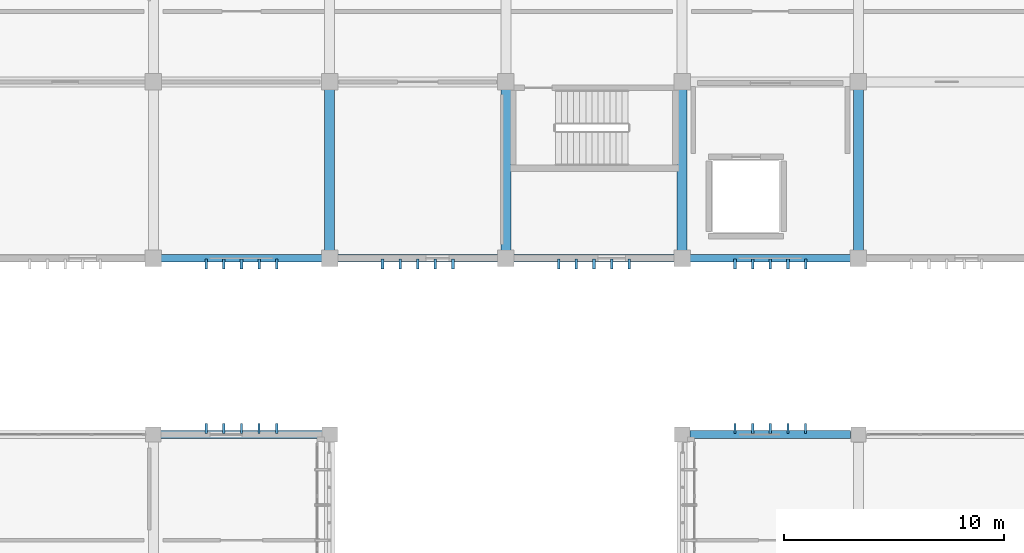
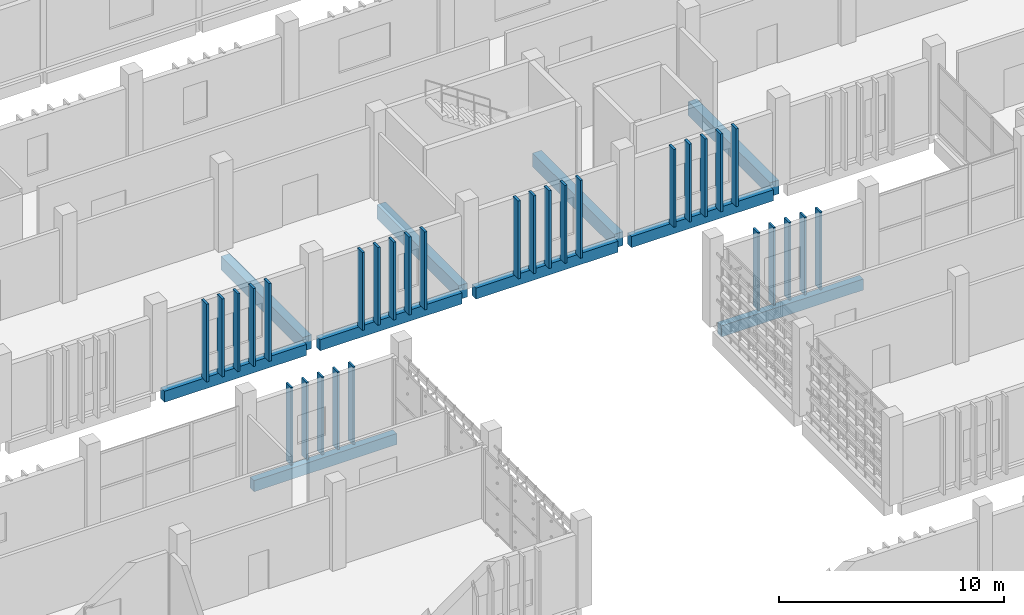
# One storey, part 43 of 106: 30 members, 10 beams.
"""IFC4 building model written with IfcOpenShell, lengths in metres."""

from ifc_helpers import new_model, si_unit, direction, frame, origin, origin_2d, place, context, subcontext, project, spatial, rectangle, extrude, material, material_profile, profile_set, type_object, element, save


model = new_model("IFC4")

# Units and contexts
model_context = context("Model", 3, precision=1e-05, world=origin(), true_north=direction((0.0, 1.0)))
body_context = subcontext(model_context, "Body", "Model", "MODEL_VIEW")
ifc_project = project(units=[si_unit("LENGTHUNIT", "METRE"), si_unit("AREAUNIT", "SQUARE_METRE"), si_unit("VOLUMEUNIT", "CUBIC_METRE"), si_unit("PLANEANGLEUNIT", "RADIAN"), si_unit("MASSUNIT", "GRAM", prefix="KILO")], contexts=[model_context])

# Site, building, storey
site_placement = place(None, origin())
site = spatial("IfcSite", under=ifc_project, at=site_placement, CompositionType="ELEMENT")
building_placement = place(site_placement, origin())
building = spatial("IfcBuilding", under=site, at=building_placement, Name="Jelvoka-Kovrelna Polytechnic", CompositionType="ELEMENT")
storey_placement = place(building_placement, frame((0.0, 0.0, 4.800048828125)))
storey = spatial("IfcBuildingStorey", under=building, at=storey_placement, Name="L02", CompositionType="ELEMENT", Elevation=4.800048828125)

# Beams
ifc_material_1 = material(Name="Concrete C40/50", Category="concrete")
ifc_material_profile_1 = material_profile(ifc_material_1, rectangle(XDim=0.449951171875, YDim=0.75, at=origin_2d()), Name="RC 450x750")
ifc_profile_set_1 = profile_set([ifc_material_profile_1], Name="Concrete C40/50")
beam_type_1 = type_object("IfcBeamType", Name="Beam_RC_450x750", PredefinedType="BEAM", material=ifc_profile_set_1)
for number, where, z_axis, x_axis, name in (
    (1, (112.0, 56.35498046875, -0.64013671875), (0.0, 1.0, 0.0), (-1.0, 0.0, 0.0), "L02 beam 0789"),
    (2, (120.0, 56.35498046875, -0.64013671875), (0.0, 1.0, 0.0), (-1.0, 0.0, 0.0), "L02 beam 0819"),
    (3, (128.0, 56.35498046875, -0.64013671875), (0.0, 1.0, 0.0), (-1.0, 0.0, 0.0), "L02 beam 0821"),
    (4, (136.0, 56.35498046875, -0.64013671875), (0.0, 1.0, 0.0), (-1.0, 0.0, 0.0), "L02 beam 0823"),
):
    element("IfcBeam", number, at=place(storey_placement, frame(where, z_axis=z_axis, x_axis=x_axis)), inside=storey, type_object=beam_type_1, Name=name, PredefinedType="BEAM", context=body_context, shape_type="SweptSolid", body=[
        extrude(rectangle(XDim=0.449951171875, YDim=0.75, at=origin_2d()), origin(), (0.0, 0.0, 1.0), 7.2900390625),
    ])

# Members
ifc_material_2 = material(Name="Precast concrete C40/50", Category="concrete")
ifc_material_profile_2 = material_profile(ifc_material_2, rectangle(XDim=0.10009765625, YDim=0.449951171875, at=origin_2d()), Name="PC 100x450")
ifc_profile_set_2 = profile_set([ifc_material_profile_2], Name="Precast concrete C40/50")
member_type_1 = type_object("IfcMemberType", Name="Louvre_Fin_100x450", PredefinedType="USERDEFINED", material=ifc_profile_set_2)
for number, where, z_axis, x_axis, name in (
    (5, (106.39990234375, 48.264892578125, -0.27001953125), (0.0, 0.0, 1.0), (1.0, 0.0, 0.0), "L02 B2W north vertical solar louvre fin 0646"),
    (6, (107.199951171875, 48.264892578125, -0.27001953125), (0.0, 0.0, 1.0), (1.0, 0.0, 0.0), "L02 B2W north vertical solar louvre fin 0647"),
    (7, (108.0, 48.264892578125, -0.27001953125), (0.0, 0.0, 1.0), (1.0, 0.0, 0.0), "L02 B2W north vertical solar louvre fin 0648"),
    (8, (108.800048828125, 48.264892578125, -0.27001953125), (0.0, 0.0, 1.0), (1.0, 0.0, 0.0), "L02 B2W north vertical solar louvre fin 0649"),
    (9, (109.60009765625, 48.264892578125, -0.27001953125), (0.0, 0.0, 1.0), (1.0, 0.0, 0.0), "L02 B2W north vertical solar louvre fin 0650"),
    (10, (130.39990234375, 48.264892578125, -0.27001953125), (0.0, 0.0, 1.0), (1.0, 0.0, 0.0), "L02 B2E north vertical solar louvre fin 0906"),
    (11, (131.199951171875, 48.264892578125, -0.27001953125), (0.0, 0.0, 1.0), (1.0, 0.0, 0.0), "L02 B2E north vertical solar louvre fin 0907"),
    (12, (132.0, 48.264892578125, -0.27001953125), (0.0, 0.0, 1.0), (1.0, 0.0, 0.0), "L02 B2E north vertical solar louvre fin 0908"),
    (13, (132.800048828125, 48.264892578125, -0.27001953125), (0.0, 0.0, 1.0), (1.0, 0.0, 0.0), "L02 B2E north vertical solar louvre fin 0909"),
    (14, (133.60009765625, 48.264892578125, -0.27001953125), (0.0, 0.0, 1.0), (1.0, 0.0, 0.0), "L02 B2E north vertical solar louvre fin 0910"),
):
    element("IfcMember", number, at=place(storey_placement, frame(where, z_axis=z_axis, x_axis=x_axis)), inside=storey, type_object=member_type_1, Name=name, ObjectType="SUNSHADE", PredefinedType="USERDEFINED", context=body_context, shape_type="SweptSolid", body=[
        extrude(rectangle(XDim=0.10009765625, YDim=0.449951171875, at=origin_2d()), origin(), (0.0, 0.0, 1.0), 4.22998046875),
    ])
ifc_material_3 = material(Name="Precast concrete C40/50", Category="concrete")
ifc_material_profile_3 = material_profile(ifc_material_3, rectangle(XDim=0.1201171875, YDim=0.449951171875, at=origin_2d()), Name="PC 120x450")
ifc_profile_set_3 = profile_set([ifc_material_profile_3], Name="Precast concrete C40/50")
member_type_2 = type_object("IfcMemberType", Name="Louvre_Fin_120x450", PredefinedType="USERDEFINED", material=ifc_profile_set_3)
for number, where, z_axis, x_axis, name in (
    (15, (106.39990234375, 55.735107421875, -0.27001953125), (0.0, 0.0, 1.0), (1.0, 0.0, 0.0), "L02 B3 south vertical solar louvre fin 1356"),
    (16, (107.199951171875, 55.735107421875, -0.27001953125), (0.0, 0.0, 1.0), (1.0, 0.0, 0.0), "L02 B3 south vertical solar louvre fin 1357"),
    (17, (108.0, 55.735107421875, -0.27001953125), (0.0, 0.0, 1.0), (1.0, 0.0, 0.0), "L02 B3 south vertical solar louvre fin 1358"),
    (18, (108.800048828125, 55.735107421875, -0.27001953125), (0.0, 0.0, 1.0), (1.0, 0.0, 0.0), "L02 B3 south vertical solar louvre fin 1359"),
    (19, (109.60009765625, 55.735107421875, -0.27001953125), (0.0, 0.0, 1.0), (1.0, 0.0, 0.0), "L02 B3 south vertical solar louvre fin 1360"),
    (20, (114.39990234375, 55.735107421875, -0.27001953125), (0.0, 0.0, 1.0), (1.0, 0.0, 0.0), "L02 B3 south vertical solar louvre fin 1366"),
    (21, (115.199951171875, 55.735107421875, -0.27001953125), (0.0, 0.0, 1.0), (1.0, 0.0, 0.0), "L02 B3 south vertical solar louvre fin 1367"),
    (22, (116.0, 55.735107421875, -0.27001953125), (0.0, 0.0, 1.0), (1.0, 0.0, 0.0), "L02 B3 south vertical solar louvre fin 1368"),
    (23, (116.800048828125, 55.735107421875, -0.27001953125), (0.0, 0.0, 1.0), (1.0, 0.0, 0.0), "L02 B3 south vertical solar louvre fin 1369"),
    (24, (117.60009765625, 55.735107421875, -0.27001953125), (0.0, 0.0, 1.0), (1.0, 0.0, 0.0), "L02 B3 south vertical solar louvre fin 1370"),
    (25, (122.39990234375, 55.735107421875, -0.27001953125), (0.0, 0.0, 1.0), (1.0, 0.0, 0.0), "L02 B3 south vertical solar louvre fin 1376"),
    (26, (123.199951171875, 55.735107421875, -0.27001953125), (0.0, 0.0, 1.0), (1.0, 0.0, 0.0), "L02 B3 south vertical solar louvre fin 1377"),
    (27, (124.0, 55.735107421875, -0.27001953125), (0.0, 0.0, 1.0), (1.0, 0.0, 0.0), "L02 B3 south vertical solar louvre fin 1378"),
    (28, (124.800048828125, 55.735107421875, -0.27001953125), (0.0, 0.0, 1.0), (1.0, 0.0, 0.0), "L02 B3 south vertical solar louvre fin 1379"),
    (29, (125.60009765625, 55.735107421875, -0.27001953125), (0.0, 0.0, 1.0), (1.0, 0.0, 0.0), "L02 B3 south vertical solar louvre fin 1380"),
    (30, (130.39990234375, 55.735107421875, -0.27001953125), (0.0, 0.0, 1.0), (1.0, 0.0, 0.0), "L02 B3 south vertical solar louvre fin 1386"),
    (31, (131.199951171875, 55.735107421875, -0.27001953125), (0.0, 0.0, 1.0), (1.0, 0.0, 0.0), "L02 B3 south vertical solar louvre fin 1387"),
    (32, (132.0, 55.735107421875, -0.27001953125), (0.0, 0.0, 1.0), (1.0, 0.0, 0.0), "L02 B3 south vertical solar louvre fin 1388"),
    (33, (132.800048828125, 55.735107421875, -0.27001953125), (0.0, 0.0, 1.0), (1.0, 0.0, 0.0), "L02 B3 south vertical solar louvre fin 1389"),
    (34, (133.60009765625, 55.735107421875, -0.27001953125), (0.0, 0.0, 1.0), (1.0, 0.0, 0.0), "L02 B3 south vertical solar louvre fin 1390"),
):
    element("IfcMember", number, at=place(storey_placement, frame(where, z_axis=z_axis, x_axis=x_axis)), inside=storey, type_object=member_type_2, Name=name, ObjectType="SUNSHADE", PredefinedType="USERDEFINED", context=body_context, shape_type="SweptSolid", body=[
        extrude(rectangle(XDim=0.1201171875, YDim=0.449951171875, at=origin_2d()), origin(), (0.0, 0.0, 1.0), 4.22998046875),
    ])

# Beams
ifc_material_4 = material(Name="Concrete C40/50", Category="concrete")
ifc_material_profile_4 = material_profile(ifc_material_4, rectangle(XDim=0.35009765625, YDim=0.60009765625, at=origin_2d()), Name="RC 350x600")
ifc_profile_set_4 = profile_set([ifc_material_profile_4], Name="Concrete C40/50")
beam_type_2 = type_object("IfcBeamType", Name="Spandrel_RC_350x600", PredefinedType="SPANDREL", material=ifc_profile_set_4)
beam_placement = place(storey_placement, frame((104.330078125, 48.0, -0.56494140625), z_axis=(1.0, 0.0, 0.0), x_axis=(0.0, 1.0, 0.0)))
element("IfcBeam", 35, at=beam_placement, inside=storey, type_object=beam_type_2, Name="L02 beam 0697", PredefinedType="SPANDREL", context=body_context, shape_type="SweptSolid", body=[
    extrude(rectangle(XDim=0.35009765625, YDim=0.60009765625, at=origin_2d()), origin(), (0.0, 0.0, 1.0), 7.33984375),
])
for number, where, z_axis, x_axis, name in (
    (36, (128.35498046875, 48.0, -0.56494140625), (1.0, 0.0, 0.0), (0.0, 1.0, 0.0), "L02 beam 0726"),
    (37, (104.35498046875, 56.0, -0.56494140625), (1.0, 0.0, 0.0), (0.0, 1.0, 0.0), "L02 beam 0761"),
    (38, (112.35498046875, 56.0, -0.56494140625), (1.0, 0.0, 0.0), (0.0, 1.0, 0.0), "L02 beam 0791"),
    (39, (120.35498046875, 56.0, -0.56494140625), (1.0, 0.0, 0.0), (0.0, 1.0, 0.0), "L02 beam 0792"),
    (40, (128.35498046875, 56.0, -0.56494140625), (1.0, 0.0, 0.0), (0.0, 1.0, 0.0), "L02 beam 0793"),
):
    element("IfcBeam", number, at=place(storey_placement, frame(where, z_axis=z_axis, x_axis=x_axis)), inside=storey, type_object=beam_type_2, Name=name, PredefinedType="SPANDREL", context=body_context, shape_type="SweptSolid", body=[
        extrude(rectangle(XDim=0.35009765625, YDim=0.60009765625, at=origin_2d()), origin(), (0.0, 0.0, 1.0), 7.2900390625),
    ])

save(model, "model.ifc")
